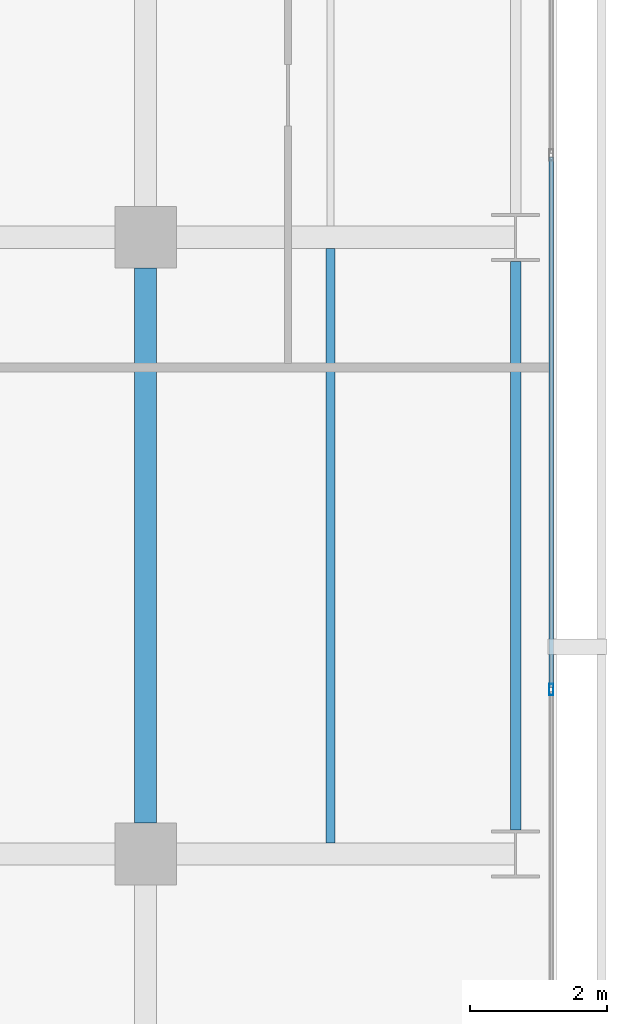
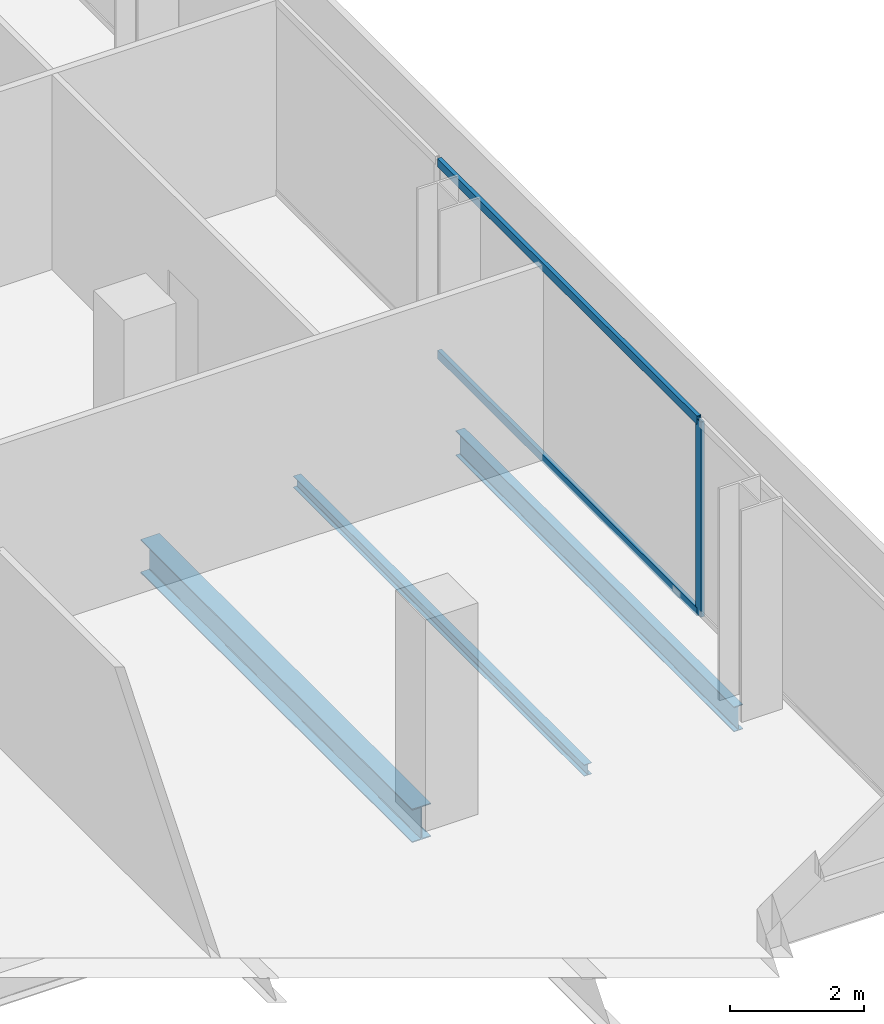
# One storey, part 17 of 39: 3 beams, 3 members, 1 element without a shape of its own.
"""IFC4 building model written with IfcOpenShell, lengths in metres."""

from ifc_helpers import new_model, si_unit, direction, frame, origin, origin_2d, place, context, subcontext, project, spatial, hollow_rectangle, i_section, extrude, material, layer, layer_set, material_profile, profile_set, type_object, element, aggregate, save


model = new_model("IFC4")

# Units and contexts
model_context = context("Model", 3, precision=1e-05, world=origin(), true_north=direction((0.0, 1.0)))
body_context = subcontext(model_context, "Body", "Model", "MODEL_VIEW")
ifc_project = project(units=[si_unit("LENGTHUNIT", "METRE"), si_unit("AREAUNIT", "SQUARE_METRE"), si_unit("VOLUMEUNIT", "CUBIC_METRE"), si_unit("PLANEANGLEUNIT", "RADIAN"), si_unit("MASSUNIT", "GRAM", prefix="KILO")], contexts=[model_context])

# Site, building, storey
site_placement = place(None, origin())
site = spatial("IfcSite", under=ifc_project, at=site_placement, CompositionType="ELEMENT")
building_placement = place(site_placement, origin())
building = spatial("IfcBuilding", under=site, at=building_placement, Name="Maruvema Waterfront Hotel and Observation Tower", CompositionType="ELEMENT")
storey_placement = place(building_placement, frame((0.0, 0.0, 111.64990234375)))
storey = spatial("IfcBuildingStorey", under=building, at=storey_placement, Name="L27", CompositionType="ELEMENT", Elevation=111.64990234375)

# Curtain wall, members
ifc_material_1 = material(Name="Anodised bronze aluminium and solar-control low-E IGU", Category="aluminium")
ifc_layer = layer(ifc_material_1, 0.159912109375, Name="Zone 1 Bronze Inner Thermal Curtain Wall System CW-02")
ifc_layer_set = layer_set([ifc_layer], Name="Anodised bronze aluminium and solar-control low-E IGU")
curtain_wall_type = type_object("IfcCurtainWallType", Name="Zone 1 Bronze Inner Thermal Curtain Wall System CW-02", PredefinedType="USERDEFINED", material=ifc_layer_set)
curtain_wall_placement = place(storey_placement, origin())
curtain_wall = element("IfcCurtainWall", 1, at=curtain_wall_placement, inside=storey, type_object=curtain_wall_type, Name="L27 Curtain Wall CW-L27-E", ObjectType="UNITISED CURTAIN WALL", PredefinedType="USERDEFINED")
ifc_material_2 = material(Name="Anodised architectural bronze aluminium", Category="aluminium")
ifc_material_profile_1 = material_profile(ifc_material_2, hollow_rectangle(XDim=0.070068359375, YDim=0.14990234375, WallThickness=0.00390625, at=origin_2d()), Name="ALU-T70x150")
ifc_profile_set_1 = profile_set([ifc_material_profile_1], Name="Anodised architectural bronze aluminium")
member_type_1 = type_object("IfcMemberType", Name="Curtain Wall Horizontal Transom ALU-T70x150", PredefinedType="USERDEFINED", material=ifc_profile_set_1)
member_1_placement = place(storey_placement, frame((64.719970703125, 11.429931640625, 0.030029296875), z_axis=(0.0, 1.0, 0.0), x_axis=(-1.0, 0.0, 0.0)))
member_1 = element("IfcMember", 2, at=member_1_placement, type_object=member_type_1, Name="CW-02 transom 2.1", ObjectType="TRANSOM", PredefinedType="USERDEFINED", context=body_context, shape_type="SweptSolid", body=[
    extrude(hollow_rectangle(XDim=0.070068359375, YDim=0.14990234375, WallThickness=0.00390625, at=origin_2d()), origin(), (0.0, 0.0, 1.0), 7.739990234375),
])
member_2_placement = place(storey_placement, frame((64.719970703125, 11.429931640625, 3.52001953125), z_axis=(0.0, 1.0, 0.0), x_axis=(-1.0, 0.0, 0.0)))
member_2 = element("IfcMember", 3, at=member_2_placement, type_object=member_type_1, Name="CW-02 transom 2.2", ObjectType="TRANSOM", PredefinedType="USERDEFINED", context=body_context, shape_type="SweptSolid", body=[
    extrude(hollow_rectangle(XDim=0.070068359375, YDim=0.14990234375, WallThickness=0.00390625, at=origin_2d()), origin(), (0.0, 0.0, 1.0), 7.739990234375),
])
ifc_material_3 = material(Name="Anodised architectural bronze aluminium", Category="aluminium")
ifc_material_profile_2 = material_profile(ifc_material_3, hollow_rectangle(XDim=0.06494140625, YDim=0.1650390625, WallThickness=0.00390625, at=origin_2d()), Name="ALU-M65x165")
ifc_profile_set_2 = profile_set([ifc_material_profile_2], Name="Anodised architectural bronze aluminium")
member_type_2 = type_object("IfcMemberType", Name="Curtain Wall Primary Mullion ALU-M65x165", PredefinedType="MULLION", material=ifc_profile_set_2)
member_3_placement = place(storey_placement, frame((64.719970703125, 11.39990234375, 0.0), z_axis=(0.0, 0.0, 1.0), x_axis=(-1.0, 0.0, 0.0)))
member_3 = element("IfcMember", 4, at=member_3_placement, type_object=member_type_2, Name="CW-02 mullion 2", PredefinedType="MULLION", context=body_context, shape_type="SweptSolid", body=[
    extrude(hollow_rectangle(XDim=0.06494140625, YDim=0.1650390625, WallThickness=0.00390625, at=origin_2d()), origin(), (0.0, 0.0, 1.0), 3.550048828125),
])
aggregate(curtain_wall, [member_3, member_1, member_2])

# Beams
ifc_material_4 = material(Name="Steel ASTM A572 Grade 50", Category="steel")
ifc_material_profile_3 = material_profile(ifc_material_4, i_section(OverallWidth=0.153076171875, OverallDepth=0.455078125, WebThickness=0.008056640625, FlangeThickness=0.01318359375, FilletRadius=0.014892578125, at=origin_2d()), Name="W460x60.0")
ifc_profile_set_3 = profile_set([ifc_material_profile_3], Name="Steel ASTM A572 Grade 50")
beam_type_1 = type_object("IfcBeamType", Name="Perimeter Spandrel Beam W460x60.0", PredefinedType="SPANDREL", material=ifc_profile_set_3)
beam_1_placement = place(storey_placement, frame((64.199951171875, 9.35009765625, -0.46728515625), z_axis=(0.0, 1.0, 0.0), x_axis=(-1.0, 0.0, 0.0)))
element("IfcBeam", 5, at=beam_1_placement, inside=storey, type_object=beam_type_1, Name="L27 Floor Girder NS-33", PredefinedType="SPANDREL", context=body_context, shape_type="SweptSolid", body=[
    extrude(i_section(OverallWidth=0.153076171875, OverallDepth=0.455078125, WebThickness=0.008056640625, FlangeThickness=0.01318359375, FilletRadius=0.014892578125, at=origin_2d()), origin(), (0.0, 0.0, 1.0), 8.2998046875),
])
ifc_material_5 = material(Name="Steel ASTM A572 Grade 50", Category="steel")
ifc_material_profile_4 = material_profile(ifc_material_5, i_section(OverallWidth=0.323974609375, OverallDepth=0.611083984375, WebThickness=0.0126953125, FlangeThickness=0.01904296875, FilletRadius=0.01806640625, at=origin_2d()), Name="W610x155.0")
ifc_profile_set_4 = profile_set([ifc_material_profile_4], Name="Steel ASTM A572 Grade 50")
beam_type_2 = type_object("IfcBeamType", Name="Primary Floor Girder W610x155.0", PredefinedType="BEAM", material=ifc_profile_set_4)
beam_2_placement = place(storey_placement, frame((58.800048828125, 9.449951171875, -0.54541015625), z_axis=(0.0, 1.0, 0.0), x_axis=(-1.0, 0.0, 0.0)))
element("IfcBeam", 6, at=beam_2_placement, inside=storey, type_object=beam_type_2, Name="L27 Floor Girder NS-28", PredefinedType="BEAM", context=body_context, shape_type="SweptSolid", body=[
    extrude(i_section(OverallWidth=0.323974609375, OverallDepth=0.611083984375, WebThickness=0.0126953125, FlangeThickness=0.01904296875, FilletRadius=0.01806640625, at=origin_2d()), origin(), (0.0, 0.0, 1.0), 8.10009765625),
])
ifc_material_6 = material(Name="Steel ASTM A572 Grade 50", Category="steel")
ifc_material_profile_5 = material_profile(ifc_material_6, i_section(OverallWidth=0.133056640625, OverallDepth=0.20703125, WebThickness=0.005859375, FlangeThickness=0.00830078125, FilletRadius=0.010009765625, at=origin_2d()), Name="W200x26.6")
ifc_profile_set_5 = profile_set([ifc_material_profile_5], Name="Steel ASTM A572 Grade 50")
beam_type_3 = type_object("IfcBeamType", Name="Secondary Floor Joist W200x26.6", PredefinedType="JOIST", material=ifc_profile_set_5)
beam_3_placement = place(storey_placement, frame((61.5, 9.162109375, -0.343505859375), z_axis=(0.0, 1.0, 0.0), x_axis=(-1.0, 0.0, 0.0)))
element("IfcBeam", 7, at=beam_3_placement, inside=storey, type_object=beam_type_3, Name="L27 Secondary Floor Joist JS-21", PredefinedType="JOIST", context=body_context, shape_type="SweptSolid", body=[
    extrude(i_section(OverallWidth=0.133056640625, OverallDepth=0.20703125, WebThickness=0.005859375, FlangeThickness=0.00830078125, FilletRadius=0.010009765625, at=origin_2d()), origin(), (0.0, 0.0, 1.0), 8.67578125),
])

save(model, "model.ifc")
